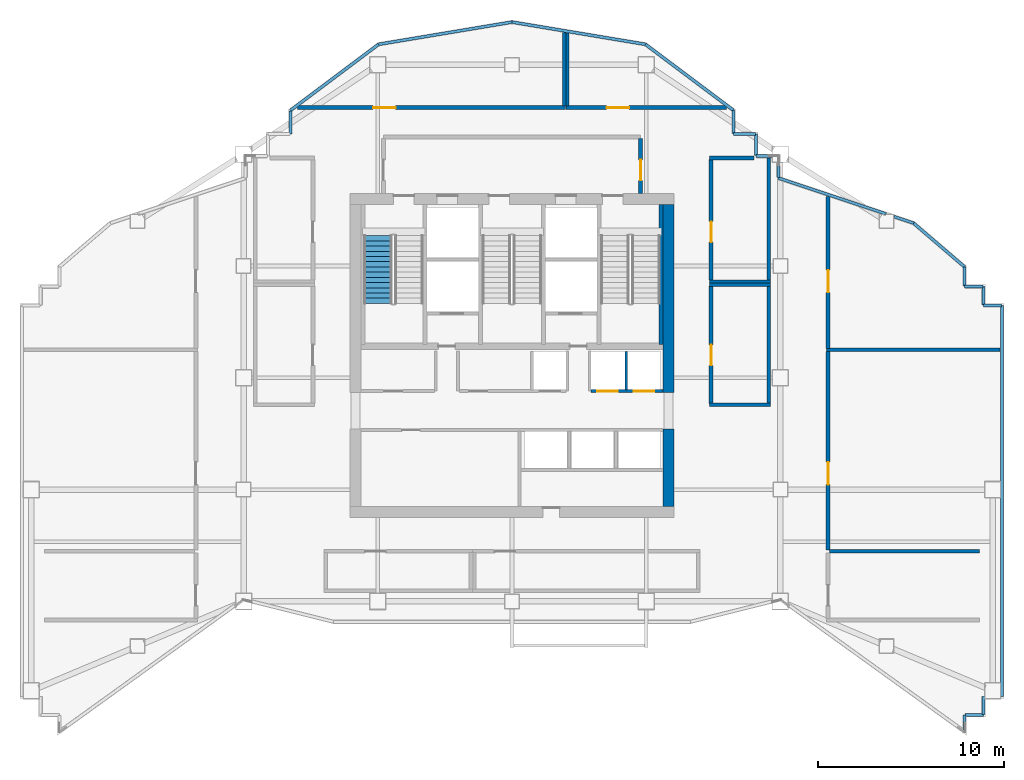
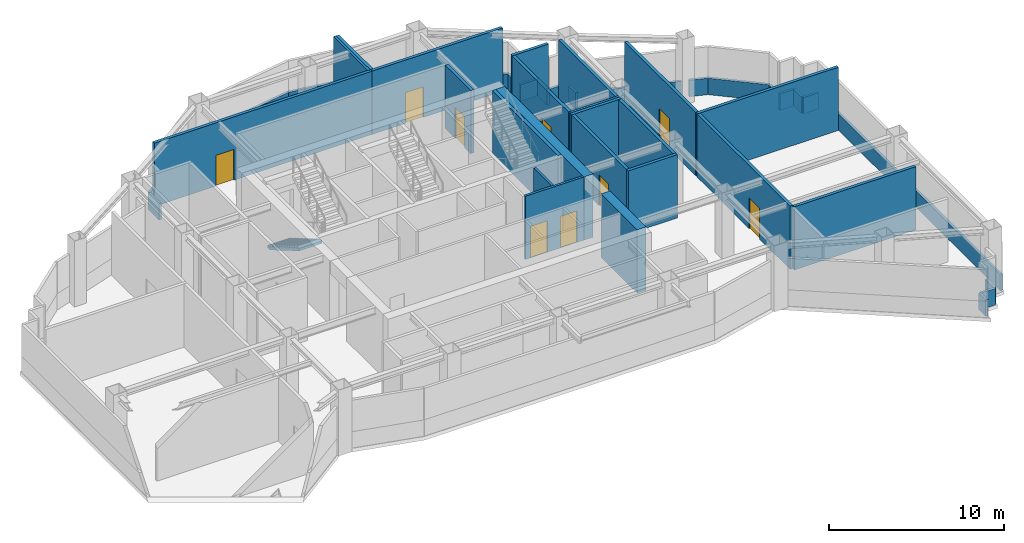
# One storey, part 4 of 9: 43 walls, 9 doors, 1 stair flight, 9 openings, 1 element without a shape of its own.
"""IFC4 building model written with IfcOpenShell, lengths in metres."""

from ifc_helpers import new_model, si_unit, direction, frame, frame_2d, origin, place, context, subcontext, project, spatial, polyline, rectangle, outline, extrude, material, layer, layer_set, type_object, element, fill, aggregate, save


model = new_model("IFC4")

# Units and contexts
model_context = context("Model", 3, precision=1e-05, world=origin(), true_north=direction((0.0, 1.0)))
body_context = subcontext(model_context, "Body", "Model", "MODEL_VIEW")
ifc_project = project(units=[si_unit("LENGTHUNIT", "METRE"), si_unit("AREAUNIT", "SQUARE_METRE"), si_unit("VOLUMEUNIT", "CUBIC_METRE"), si_unit("PLANEANGLEUNIT", "RADIAN"), si_unit("MASSUNIT", "GRAM", prefix="KILO")], contexts=[model_context])

# Site, building, storey
site_placement = place(None, origin())
site = spatial("IfcSite", under=ifc_project, at=site_placement, CompositionType="ELEMENT")
building_placement = place(site_placement, origin())
building = spatial("IfcBuilding", under=site, at=building_placement, Name="Haolan Belvedere Tower", CompositionType="ELEMENT")
storey_placement = place(building_placement, frame((0.0, 0.0, 207.0)))
storey = spatial("IfcBuildingStorey", under=building, at=storey_placement, Name="L52", CompositionType="ELEMENT", Elevation=207.0)

# Walls
ifc_material_1 = material(Name="Concrete C60/75", Category="concrete")
ifc_layer_1 = layer(ifc_material_1, 0.60009765625, Name="Concrete C60/75")
ifc_layer_set_1 = layer_set([ifc_layer_1], Name="Concrete C60/75")
wall_type_1 = type_object("IfcWallType", Name="WL-CORE-600", PredefinedType="SHEAR", material=ifc_layer_set_1)
wall_1_placement = place(storey_placement, frame((46.800048828125, 26.699951171875, 0.0), z_axis=(0.0, 0.0, 1.0), x_axis=(0.0, 1.0, 0.0)))
element("IfcWall", 1, at=wall_1_placement, inside=storey, type_object=wall_type_1, Name="L52 central core shear wall ES", PredefinedType="SHEAR", context=body_context, shape_type="SweptSolid", body=[
    extrude(rectangle(XDim=4.150146484375, YDim=0.60009765625, at=frame_2d((2.0751953125, 0.0))), origin(), (0.0, 0.0, 1.0), 4.419921875),
])
wall_2_placement = place(storey_placement, frame((46.800048828125, 32.800048828125, 0.0), z_axis=(0.0, 0.0, 1.0), x_axis=(0.0, 1.0, 0.0)))
element("IfcWall", 2, at=wall_2_placement, inside=storey, type_object=wall_type_1, Name="L52 central core shear wall EN", PredefinedType="SHEAR", context=body_context, shape_type="SweptSolid", body=[
    extrude(rectangle(XDim=10.099853515625, YDim=0.60009765625, at=frame_2d((5.0498046875, 0.0))), origin(), (0.0, 0.0, 1.0), 4.419921875),
])

# Wall, opening, door
ifc_material_2 = material(Name="Concrete C40/50", Category="concrete")
ifc_layer_2 = layer(ifc_material_2, 0.199951171875, Name="Concrete C40/50")
ifc_layer_set_2 = layer_set([ifc_layer_2], Name="Concrete C40/50")
wall_type_2 = type_object("IfcWallType", Name="WL-FIRE-200", PredefinedType="SOLIDWALL", material=ifc_layer_set_2)
wall_3_placement = place(storey_placement, frame((45.300048828125, 43.5, 0.0), z_axis=(0.0, 0.0, 1.0), x_axis=(0.0, 1.0, 0.0)))
wall_3 = element("IfcWall", 3, at=wall_3_placement, inside=storey, type_object=wall_type_2, Name="L52 interior partition IW-L52-FFL-E", PredefinedType="SOLIDWALL", context=body_context, shape_type="SweptSolid", body=[
    extrude(rectangle(XDim=2.93505859375, YDim=0.199951171875, at=frame_2d((1.467529296875, 0.0))), origin(), (0.0, 0.0, 1.0), 4.419921875),
])
opening_1_placement = place(wall_3_placement, frame((0.699951171875, 0.0, 0.0)))
opening_1 = element("IfcOpeningElement", 4, at=opening_1_placement, cuts=wall_3, Name="Opening FD-03", PredefinedType="OPENING", context=body_context, shape_type="SweptSolid", body=[
    extrude(rectangle(XDim=1.10009765625, YDim=2.14990234375, at=frame_2d((0.550048828125, 1.074951171875))), frame((0.0, 0.10986328125, 0.0), z_axis=(0.0, -1.0, 0.0), x_axis=(1.0, 0.0, 0.0)), (0.0, 0.0, 1.0), 0.219970703125),
])
ifc_material_3 = material(Name="Galvanised fire-rated steel", Category="steel")
door_type_1 = type_object("IfcDoorType", Name="DR-FD90-1100", OperationType="NOTDEFINED", PredefinedType="DOOR", material=ifc_material_3)
door_1_placement = place(opening_1_placement, origin())
door_1 = element("IfcDoor", 5, at=door_1_placement, inside=storey, type_object=door_type_1, Name="L52 door ID-L52-FFL-DE", OperationType="SINGLE_SWING_RIGHT", OverallHeight=2.14990234375, OverallWidth=1.10009765625, PredefinedType="DOOR", context=body_context, shape_type="SweptSolid", body=[
    extrude(rectangle(XDim=1.10009765625, YDim=2.14990234375, at=frame_2d((0.550048828125, 1.074951171875))), frame((0.0, 0.02490234375, 0.0), z_axis=(0.0, -1.0, 0.0), x_axis=(1.0, 0.0, 0.0)), (0.0, 0.0, 1.0), 0.050048828125),
])
fill(opening_1, door_1)

# Wall
wall_4_placement = place(storey_placement, frame((55.280029296875, 35.10009765625, 0.0), z_axis=(0.0, 0.0, 1.0), x_axis=(1.0, 0.0, 0.0)))
element("IfcWall", 6, at=wall_4_placement, inside=storey, type_object=wall_type_2, Name="L52 interior partition IW-L52-REF-E1-N", PredefinedType="SOLIDWALL", context=body_context, shape_type="SweptSolid", body=[
    extrude(rectangle(XDim=9.307861328125, YDim=0.199951171875, at=frame_2d((4.65380859375, 0.0))), origin(), (0.0, 0.0, 1.0), 4.419921875),
])

# Wall, opening, door
wall_5_placement = place(storey_placement, frame((55.360107421875, 24.3701171875, 0.0), z_axis=(0.0, 0.0, 1.0), x_axis=(0.0, 1.0, 0.0)))
wall_5 = element("IfcWall", 7, at=wall_5_placement, inside=storey, type_object=wall_type_2, Name="L52 interior partition IW-L52-REF-E1-W", PredefinedType="SOLIDWALL", context=body_context, shape_type="SweptSolid", body=[
    extrude(rectangle(XDim=10.644775390625, YDim=0.199951171875, at=frame_2d((5.322265625, 0.0))), origin(), (0.0, 0.0, 1.0), 4.419921875),
])
opening_2_placement = place(wall_5_placement, frame((3.5, 0.0, 0.0)))
opening_2 = element("IfcOpeningElement", 8, at=opening_2_placement, cuts=wall_5, Name="Opening FD-02", PredefinedType="OPENING", context=body_context, shape_type="SweptSolid", body=[
    extrude(rectangle(XDim=1.199951171875, YDim=2.14990234375, at=frame_2d((0.60009765625, 1.074951171875))), frame((0.0, 0.10986328125, 0.0), z_axis=(0.0, -1.0, 0.0), x_axis=(1.0, 0.0, 0.0)), (0.0, 0.0, 1.0), 0.219970703125),
])
door_type_2 = type_object("IfcDoorType", Name="DR-FD90-1200", OperationType="NOTDEFINED", PredefinedType="DOOR", material=ifc_material_3)
door_2_placement = place(opening_2_placement, origin())
door_2 = element("IfcDoor", 9, at=door_2_placement, inside=storey, type_object=door_type_2, Name="L52 door ID-L52-REF-E1", OperationType="SINGLE_SWING_RIGHT", OverallHeight=2.14990234375, OverallWidth=1.199951171875, PredefinedType="DOOR", context=body_context, shape_type="SweptSolid", body=[
    extrude(rectangle(XDim=1.199951171875, YDim=2.14990234375, at=frame_2d((0.60009765625, 1.074951171875))), frame((0.0, 0.02490234375, 0.0), z_axis=(0.0, -1.0, 0.0), x_axis=(1.0, 0.0, 0.0)), (0.0, 0.0, 1.0), 0.050048828125),
])
fill(opening_2, door_2)

wall_6_placement = place(storey_placement, frame((55.360107421875, 35.18505859375, 0.0), z_axis=(0.0, 0.0, 1.0), x_axis=(0.0, 1.0, 0.0)))
wall_6 = element("IfcWall", 10, at=wall_6_placement, inside=storey, type_object=wall_type_2, Name="L52 interior partition IW-L52-REF-E2-W", PredefinedType="SOLIDWALL", context=body_context, shape_type="SweptSolid", body=[
    extrude(rectangle(XDim=8.13818359375, YDim=0.199951171875, at=frame_2d((4.069091796875, 0.0))), origin(), (0.0, 0.0, 1.0), 4.419921875),
])
opening_3_placement = place(wall_6_placement, frame((2.9951171875, 0.0, 0.0)))
opening_3 = element("IfcOpeningElement", 11, at=opening_3_placement, cuts=wall_6, Name="Opening FD-02", PredefinedType="OPENING", context=body_context, shape_type="SweptSolid", body=[
    extrude(rectangle(XDim=1.199951171875, YDim=2.14990234375, at=frame_2d((0.60009765625, 1.074951171875))), frame((0.0, 0.10986328125, 0.0), z_axis=(0.0, -1.0, 0.0), x_axis=(1.0, 0.0, 0.0)), (0.0, 0.0, 1.0), 0.219970703125),
])
door_3_placement = place(opening_3_placement, origin())
door_3 = element("IfcDoor", 12, at=door_3_placement, inside=storey, type_object=door_type_2, Name="L52 door ID-L52-REF-E2", OperationType="SINGLE_SWING_LEFT", OverallHeight=2.14990234375, OverallWidth=1.199951171875, PredefinedType="DOOR", context=body_context, shape_type="SweptSolid", body=[
    extrude(rectangle(XDim=1.199951171875, YDim=2.14990234375, at=frame_2d((0.60009765625, 1.074951171875))), frame((0.0, 0.02490234375, 0.0), z_axis=(0.0, -1.0, 0.0), x_axis=(1.0, 0.0, 0.0)), (0.0, 0.0, 1.0), 0.050048828125),
])
fill(opening_3, door_3)

# Walls
for number, where, z_axis, x_axis, name in (
    (13, (49.0, 38.60009765625, 0.0), (0.0, 0.0, 1.0), (1.0, 0.0, 0.0), "L52 interior partition IW-L52-REF-EI1-N"),
    (14, (49.0, 32.14990234375, 0.0), (0.0, 0.0, 1.0), (1.0, 0.0, 0.0), "L52 interior partition IW-L52-REF-EI1-S"),
):
    element("IfcWall", number, at=place(storey_placement, frame(where, z_axis=z_axis, x_axis=x_axis)), inside=storey, type_object=wall_type_2, Name=name, PredefinedType="SOLIDWALL", context=body_context, shape_type="SweptSolid", body=[
        extrude(rectangle(XDim=3.260009765625, YDim=0.199951171875, at=frame_2d((1.6298828125, 0.0))), origin(), (0.0, 0.0, 1.0), 4.419921875),
    ])

# Wall, opening, door
wall_7_placement = place(storey_placement, frame((49.080078125, 32.235107421875, 0.0), z_axis=(0.0, 0.0, 1.0), x_axis=(0.0, 1.0, 0.0)))
wall_7 = element("IfcWall", 15, at=wall_7_placement, inside=storey, type_object=wall_type_2, Name="L52 interior partition IW-L52-REF-EI1-W", PredefinedType="SOLIDWALL", context=body_context, shape_type="SweptSolid", body=[
    extrude(rectangle(XDim=6.27978515625, YDim=0.199951171875, at=frame_2d((3.139892578125, 0.0))), origin(), (0.0, 0.0, 1.0), 4.419921875),
])
opening_4_placement = place(wall_7_placement, frame((2.034912109375, 0.0, 0.0)))
opening_4 = element("IfcOpeningElement", 16, at=opening_4_placement, cuts=wall_7, Name="Opening FD-03", PredefinedType="OPENING", context=body_context, shape_type="SweptSolid", body=[
    extrude(rectangle(XDim=1.10009765625, YDim=2.14990234375, at=frame_2d((0.550048828125, 1.074951171875))), frame((0.0, 0.10986328125, 0.0), z_axis=(0.0, -1.0, 0.0), x_axis=(1.0, 0.0, 0.0)), (0.0, 0.0, 1.0), 0.219970703125),
])
door_4_placement = place(opening_4_placement, origin())
door_4 = element("IfcDoor", 17, at=door_4_placement, inside=storey, type_object=door_type_1, Name="L52 door ID-L52-REF-EI1", OperationType="SINGLE_SWING_RIGHT", OverallHeight=2.14990234375, OverallWidth=1.10009765625, PredefinedType="DOOR", context=body_context, shape_type="SweptSolid", body=[
    extrude(rectangle(XDim=1.10009765625, YDim=2.14990234375, at=frame_2d((0.550048828125, 1.074951171875))), frame((0.0, 0.02490234375, 0.0), z_axis=(0.0, -1.0, 0.0), x_axis=(1.0, 0.0, 0.0)), (0.0, 0.0, 1.0), 0.050048828125),
])
fill(opening_4, door_4)

# Walls
wall_8_placement = place(storey_placement, frame((52.179931640625, 32.235107421875, 0.0), z_axis=(0.0, 0.0, 1.0), x_axis=(0.0, 1.0, 0.0)))
element("IfcWall", 18, at=wall_8_placement, inside=storey, type_object=wall_type_2, Name="L52 interior partition IW-L52-REF-EI1-E", PredefinedType="SOLIDWALL", context=body_context, shape_type="SweptSolid", body=[
    extrude(rectangle(XDim=6.27978515625, YDim=0.199951171875, at=frame_2d((3.139892578125, 0.0))), origin(), (0.0, 0.0, 1.0), 4.419921875),
])
wall_9_placement = place(storey_placement, frame((49.0, 45.39990234375, 0.0), z_axis=(0.0, 0.0, 1.0), x_axis=(1.0, 0.0, 0.0)))
element("IfcWall", 19, at=wall_9_placement, inside=storey, type_object=wall_type_2, Name="L52 interior partition IW-L52-REF-EI2-N", PredefinedType="SOLIDWALL", context=body_context, shape_type="SweptSolid", body=[
    extrude(rectangle(XDim=2.387939453125, YDim=0.199951171875, at=frame_2d((1.19384765625, 0.0))), origin(), (0.0, 0.0, 1.0), 4.419921875),
])
wall_10_placement = place(storey_placement, frame((49.0, 38.760009765625, 0.0), z_axis=(0.0, 0.0, 1.0), x_axis=(1.0, 0.0, 0.0)))
element("IfcWall", 20, at=wall_10_placement, inside=storey, type_object=wall_type_2, Name="L52 interior partition IW-L52-REF-EI2-S", PredefinedType="SOLIDWALL", context=body_context, shape_type="SweptSolid", body=[
    extrude(rectangle(XDim=3.260009765625, YDim=0.199951171875, at=frame_2d((1.6298828125, 0.0))), origin(), (0.0, 0.0, 1.0), 4.419921875),
])

# Wall, opening, door
wall_11_placement = place(storey_placement, frame((49.080078125, 38.844970703125, 0.0), z_axis=(0.0, 0.0, 1.0), x_axis=(0.0, 1.0, 0.0)))
wall_11 = element("IfcWall", 21, at=wall_11_placement, inside=storey, type_object=wall_type_2, Name="L52 interior partition IW-L52-REF-EI2-W", PredefinedType="SOLIDWALL", context=body_context, shape_type="SweptSolid", body=[
    extrude(rectangle(XDim=6.469970703125, YDim=0.199951171875, at=frame_2d((3.23486328125, 0.0))), origin(), (0.0, 0.0, 1.0), 4.419921875),
])
opening_5_placement = place(wall_11_placement, frame((2.034912109375, 0.0, 0.0)))
opening_5 = element("IfcOpeningElement", 22, at=opening_5_placement, cuts=wall_11, Name="Opening FD-03", PredefinedType="OPENING", context=body_context, shape_type="SweptSolid", body=[
    extrude(rectangle(XDim=1.10009765625, YDim=2.14990234375, at=frame_2d((0.550048828125, 1.074951171875))), frame((0.0, 0.10986328125, 0.0), z_axis=(0.0, -1.0, 0.0), x_axis=(1.0, 0.0, 0.0)), (0.0, 0.0, 1.0), 0.219970703125),
])
door_5_placement = place(opening_5_placement, origin())
door_5 = element("IfcDoor", 23, at=door_5_placement, inside=storey, type_object=door_type_1, Name="L52 door ID-L52-REF-EI2", OperationType="SINGLE_SWING_LEFT", OverallHeight=2.14990234375, OverallWidth=1.10009765625, PredefinedType="DOOR", context=body_context, shape_type="SweptSolid", body=[
    extrude(rectangle(XDim=1.10009765625, YDim=2.14990234375, at=frame_2d((0.550048828125, 1.074951171875))), frame((0.0, 0.02490234375, 0.0), z_axis=(0.0, -1.0, 0.0), x_axis=(1.0, 0.0, 0.0)), (0.0, 0.0, 1.0), 0.050048828125),
])
fill(opening_5, door_5)

# Wall
wall_12_placement = place(storey_placement, frame((52.179931640625, 38.844970703125, 0.0), z_axis=(0.0, 0.0, 1.0), x_axis=(0.0, 1.0, 0.0)))
element("IfcWall", 24, at=wall_12_placement, inside=storey, type_object=wall_type_2, Name="L52 interior partition IW-L52-REF-EI2-E", PredefinedType="SOLIDWALL", context=body_context, shape_type="SweptSolid", body=[
    extrude(rectangle(XDim=6.54296875, YDim=0.199951171875, at=frame_2d((3.271484375, 0.0))), origin(), (0.0, 0.0, 1.0), 4.419921875),
])

# Wall, opening, door
wall_13_placement = place(storey_placement, frame((26.88671875, 48.10009765625, 0.0), z_axis=(0.0, 0.0, 1.0), x_axis=(1.0, 0.0, 0.0)))
wall_13 = element("IfcWall", 25, at=wall_13_placement, inside=storey, type_object=wall_type_2, Name="L52 interior partition IW-L52-REF-NW-S", PredefinedType="SOLIDWALL", context=body_context, shape_type="SweptSolid", body=[
    extrude(rectangle(XDim=14.393310546875, YDim=0.199951171875, at=frame_2d((7.19677734375, 0.0))), origin(), (0.0, 0.0, 1.0), 4.419921875),
])
opening_6_placement = place(wall_13_placement, frame((4.063232421875, 0.0, 0.0)))
opening_6 = element("IfcOpeningElement", 26, at=opening_6_placement, cuts=wall_13, Name="Opening FD-02", PredefinedType="OPENING", context=body_context, shape_type="SweptSolid", body=[
    extrude(rectangle(XDim=1.199951171875, YDim=2.14990234375, at=frame_2d((0.60009765625, 1.074951171875))), frame((0.0, 0.10986328125, 0.0), z_axis=(0.0, -1.0, 0.0), x_axis=(1.0, 0.0, 0.0)), (0.0, 0.0, 1.0), 0.219970703125),
])
door_6_placement = place(opening_6_placement, origin())
door_6 = element("IfcDoor", 27, at=door_6_placement, inside=storey, type_object=door_type_2, Name="L52 door ID-L52-REF-NW", OperationType="SINGLE_SWING_LEFT", OverallHeight=2.14990234375, OverallWidth=1.199951171875, PredefinedType="DOOR", context=body_context, shape_type="SweptSolid", body=[
    extrude(rectangle(XDim=1.199951171875, YDim=2.14990234375, at=frame_2d((0.60009765625, 1.074951171875))), frame((0.0, 0.02490234375, 0.0), z_axis=(0.0, -1.0, 0.0), x_axis=(1.0, 0.0, 0.0)), (0.0, 0.0, 1.0), 0.050048828125),
])
fill(opening_6, door_6)

# Wall
wall_14_placement = place(storey_placement, frame((41.199951171875, 48.18505859375, 0.0), z_axis=(0.0, 0.0, 1.0), x_axis=(0.0, 1.0, 0.0)))
element("IfcWall", 28, at=wall_14_placement, inside=storey, type_object=wall_type_2, Name="L52 interior partition IW-L52-REF-NW-E", PredefinedType="SOLIDWALL", context=body_context, shape_type="SweptSolid", body=[
    extrude(rectangle(XDim=3.933349609375, YDim=0.199951171875, at=frame_2d((1.966796875, 0.0))), origin(), (0.0, 0.0, 1.0), 4.419921875),
])

# Wall, opening, door
wall_15_placement = place(storey_placement, frame((41.284912109375, 48.10009765625, 0.0), z_axis=(0.0, 0.0, 1.0), x_axis=(1.0, 0.0, 0.0)))
wall_15 = element("IfcWall", 29, at=wall_15_placement, inside=storey, type_object=wall_type_2, Name="L52 interior partition IW-L52-REF-NE-S", PredefinedType="SOLIDWALL", context=body_context, shape_type="SweptSolid", body=[
    extrude(rectangle(XDim=8.62841796875, YDim=0.199951171875, at=frame_2d((4.314208984375, 0.0))), origin(), (0.0, 0.0, 1.0), 4.419921875),
])
opening_7_placement = place(wall_15_placement, frame((2.195068359375, 0.0, 0.0)))
opening_7 = element("IfcOpeningElement", 30, at=opening_7_placement, cuts=wall_15, Name="Opening FD-02", PredefinedType="OPENING", context=body_context, shape_type="SweptSolid", body=[
    extrude(rectangle(XDim=1.199951171875, YDim=2.14990234375, at=frame_2d((0.60009765625, 1.074951171875))), frame((0.0, 0.10986328125, 0.0), z_axis=(0.0, -1.0, 0.0), x_axis=(1.0, 0.0, 0.0)), (0.0, 0.0, 1.0), 0.219970703125),
])
door_7_placement = place(opening_7_placement, origin())
door_7 = element("IfcDoor", 31, at=door_7_placement, inside=storey, type_object=door_type_2, Name="L52 door ID-L52-REF-NE", OperationType="SINGLE_SWING_RIGHT", OverallHeight=2.14990234375, OverallWidth=1.199951171875, PredefinedType="DOOR", context=body_context, shape_type="SweptSolid", body=[
    extrude(rectangle(XDim=1.199951171875, YDim=2.14990234375, at=frame_2d((0.60009765625, 1.074951171875))), frame((0.0, 0.02490234375, 0.0), z_axis=(0.0, -1.0, 0.0), x_axis=(1.0, 0.0, 0.0)), (0.0, 0.0, 1.0), 0.050048828125),
])
fill(opening_7, door_7)

# Walls
wall_16_placement = place(storey_placement, frame((41.360107421875, 48.18505859375, 0.0), z_axis=(0.0, 0.0, 1.0), x_axis=(0.0, 1.0, 0.0)))
element("IfcWall", 32, at=wall_16_placement, inside=storey, type_object=wall_type_2, Name="L52 interior partition IW-L52-REF-NE-W", PredefinedType="SOLIDWALL", context=body_context, shape_type="SweptSolid", body=[
    extrude(rectangle(XDim=3.90673828125, YDim=0.199951171875, at=frame_2d((1.953369140625, 0.0))), origin(), (0.0, 0.0, 1.0), 4.419921875),
])
wall_17_placement = place(storey_placement, frame((55.445068359375, 24.2900390625, 0.0), z_axis=(0.0, 0.0, 1.0), x_axis=(1.0, 0.0, 0.0)))
element("IfcWall", 33, at=wall_17_placement, inside=storey, type_object=wall_type_2, Name="L52 interior partition IW-L52-PLT-TNK-N", PredefinedType="SOLIDWALL", context=body_context, shape_type="SweptSolid", body=[
    extrude(rectangle(XDim=8.034912109375, YDim=0.199951171875, at=frame_2d((4.017578125, 0.0))), origin(), (0.0, 0.0, 1.0), 4.419921875),
])
ifc_material_4 = material(Name="Precast concrete C40/50", Category="concrete")
ifc_layer_3 = layer(ifc_material_4, 0.159912109375, Name="Precast concrete C40/50")
ifc_layer_set_3 = layer_set([ifc_layer_3], Name="Precast concrete C40/50")
wall_type_3 = type_object("IfcWallType", Name="WL-PAR-160", PredefinedType="PARAPET", material=ifc_layer_set_3)
wall_18_placement = place(storey_placement, frame((62.68994140625, 14.70458984375, 0.0), z_axis=(0.0, 0.0, 1.0), x_axis=(0.0, 1.0, 0.0)))
element("IfcWall", 34, at=wall_18_placement, inside=storey, type_object=wall_type_3, Name="L52 refuge open-band parapet 4.1", PredefinedType="PARAPET", context=body_context, shape_type="SweptSolid", body=[
    extrude(rectangle(XDim=0.805419921875, YDim=0.159912109375, at=frame_2d((0.40283203125, 0.0))), origin(), (0.0, 0.0, 1.0), 1.14990234375),
])
for number, where, z_axis, x_axis, name in (
    (35, (62.719970703125, 15.510009765625, 0.0), (0.0, 0.0, 1.0), (1.0, 0.0, 0.0), "L52 refuge open-band parapet 5.1"),
    (36, (63.68994140625, 15.5400390625, 0.0), (0.0, 0.0, 1.0), (0.0, 1.0, 0.0), "L52 refuge open-band parapet 6.1"),
):
    element("IfcWall", number, at=place(storey_placement, frame(where, z_axis=z_axis, x_axis=x_axis)), inside=storey, type_object=wall_type_3, Name=name, PredefinedType="PARAPET", context=body_context, shape_type="SweptSolid", body=[
        extrude(rectangle(XDim=0.969970703125, YDim=0.159912109375, at=frame_2d((0.48486328125, 0.0))), origin(), (0.0, 0.0, 1.0), 1.14990234375),
    ])
wall_19_placement = place(storey_placement, frame((64.68994140625, 16.510009765625, 0.0), z_axis=(0.0, 0.0, 1.0), x_axis=(0.0, 1.0, 0.0)))
element("IfcWall", 37, at=wall_19_placement, inside=storey, type_object=wall_type_3, Name="L52 refuge open-band parapet 8.1", PredefinedType="PARAPET", context=body_context, shape_type="SweptSolid", body=[
    extrude(rectangle(XDim=20.97998046875, YDim=0.159912109375, at=frame_2d((10.489990234375, 0.0))), origin(), (0.0, 0.0, 1.0), 1.14990234375),
])
for number, where, z_axis, x_axis, name in (
    (38, (64.659912109375, 37.489990234375, 0.0), (0.0, 0.0, 1.0), (-1.0, 0.0, 0.0), "L52 refuge open-band parapet 9.1"),
    (39, (63.68994140625, 37.52001953125, 0.0), (0.0, 0.0, 1.0), (0.0, 1.0, 0.0), "L52 refuge open-band parapet 10.1"),
    (40, (63.659912109375, 38.489990234375, 0.0), (0.0, 0.0, 1.0), (-1.0, 0.0, 0.0), "L52 refuge open-band parapet 11.1"),
):
    element("IfcWall", number, at=place(storey_placement, frame(where, z_axis=z_axis, x_axis=x_axis)), inside=storey, type_object=wall_type_3, Name=name, PredefinedType="PARAPET", context=body_context, shape_type="SweptSolid", body=[
        extrude(rectangle(XDim=0.969970703125, YDim=0.159912109375, at=frame_2d((0.48486328125, 0.0))), origin(), (0.0, 0.0, 1.0), 1.14990234375),
    ])
wall_20_placement = place(storey_placement, frame((62.68994140625, 38.52001953125, 0.0), z_axis=(0.0, 0.0, 1.0), x_axis=(0.0, 1.0, 0.0)))
element("IfcWall", 41, at=wall_20_placement, inside=storey, type_object=wall_type_3, Name="L52 refuge open-band parapet 12.1", PredefinedType="PARAPET", context=body_context, shape_type="SweptSolid", body=[
    extrude(rectangle(XDim=1.029296875, YDim=0.159912109375, at=frame_2d((0.5146484375, 0.0))), origin(), (0.0, 0.0, 1.0), 1.14990234375),
])
wall_21_placement = place(storey_placement, frame((62.68994140625, 39.54931640625, 0.0), z_axis=(0.0, 0.0, 1.0), x_axis=(-0.759213704594, 0.650841417518, 0.0)))
element("IfcWall", 42, at=wall_21_placement, inside=storey, type_object=wall_type_3, Name="L52 refuge open-band parapet 13.1", PredefinedType="PARAPET", context=body_context, shape_type="SweptSolid", body=[
    extrude(rectangle(XDim=3.61572265625, YDim=0.159912109375, at=frame_2d((1.807861328125, 0.0))), origin(), (0.0, 0.0, 1.0), 1.14990234375),
])
wall_22_placement = place(storey_placement, frame((59.94482421875, 41.902587890625, 0.0), z_axis=(0.0, 0.0, 1.0), x_axis=(-0.948705297269, 0.316161760709, 0.0)))
element("IfcWall", 43, at=wall_22_placement, inside=storey, type_object=wall_type_3, Name="L52 refuge open-band parapet 14.1", PredefinedType="PARAPET", context=body_context, shape_type="SweptSolid", body=[
    extrude(rectangle(XDim=1.109619140625, YDim=0.159912109375, at=frame_2d((0.5546875, 0.0))), origin(), (0.0, 0.0, 1.0), 1.14990234375),
])
wall_23_placement = place(storey_placement, frame((58.476318359375, 42.39208984375, 0.0), z_axis=(0.0, 0.0, 1.0), x_axis=(-0.948687300706, 0.316215757798, 0.0)))
element("IfcWall", 44, at=wall_23_placement, inside=storey, type_object=wall_type_3, Name="L52 refuge open-band parapet 14.2", PredefinedType="PARAPET", context=body_context, shape_type="SweptSolid", body=[
    extrude(rectangle(XDim=6.099365234375, YDim=0.159912109375, at=frame_2d((3.0498046875, 0.0))), origin(), (0.0, 0.0, 1.0), 1.14990234375),
])
wall_24_placement = place(storey_placement, frame((52.68994140625, 44.3505859375, 0.0), z_axis=(0.0, 0.0, 1.0), x_axis=(0.0, 1.0, 0.0)))
element("IfcWall", 45, at=wall_24_placement, inside=storey, type_object=wall_type_3, Name="L52 refuge open-band parapet 15.1", PredefinedType="PARAPET", context=body_context, shape_type="SweptSolid", body=[
    extrude(rectangle(XDim=0.807373046875, YDim=0.159912109375, at=frame_2d((0.40380859375, 0.0))), origin(), (0.0, 0.0, 1.0), 1.14990234375),
])
wall_25_placement = place(storey_placement, frame((52.35791015625, 45.489990234375, 0.0), z_axis=(0.0, 0.0, 1.0), x_axis=(-1.0, 0.0, 0.0)))
element("IfcWall", 46, at=wall_25_placement, inside=storey, type_object=wall_type_3, Name="L52 refuge open-band parapet 16.1", PredefinedType="PARAPET", context=body_context, shape_type="SweptSolid", body=[
    extrude(rectangle(XDim=0.867919921875, YDim=0.159912109375, at=frame_2d((0.43408203125, 0.0))), origin(), (0.0, 0.0, 1.0), 1.14990234375),
])
for number, where, z_axis, x_axis, name in (
    (47, (51.489990234375, 45.52001953125, 0.0), (0.0, 0.0, 1.0), (0.0, 1.0, 0.0), "L52 refuge open-band parapet 17.1"),
    (48, (51.4599609375, 46.68994140625, 0.0), (0.0, 0.0, 1.0), (-1.0, 0.0, 0.0), "L52 refuge open-band parapet 18.1"),
):
    element("IfcWall", number, at=place(storey_placement, frame(where, z_axis=z_axis, x_axis=x_axis)), inside=storey, type_object=wall_type_3, Name=name, PredefinedType="PARAPET", context=body_context, shape_type="SweptSolid", body=[
        extrude(rectangle(XDim=1.169921875, YDim=0.159912109375, at=frame_2d((0.5849609375, 0.0))), origin(), (0.0, 0.0, 1.0), 1.14990234375),
    ])
wall_26_placement = place(storey_placement, frame((50.2900390625, 46.719970703125, 0.0), z_axis=(0.0, 0.0, 1.0), x_axis=(0.0, 1.0, 0.0)))
element("IfcWall", 49, at=wall_26_placement, inside=storey, type_object=wall_type_3, Name="L52 refuge open-band parapet 19.1", PredefinedType="PARAPET", context=body_context, shape_type="SweptSolid", body=[
    extrude(rectangle(XDim=1.22509765625, YDim=0.159912109375, at=frame_2d((0.612548828125, 0.0))), origin(), (0.0, 0.0, 1.0), 1.14990234375),
])
wall_27_placement = place(storey_placement, frame((50.278076171875, 47.9541015625, 0.0), z_axis=(0.0, 0.0, 1.0), x_axis=(-0.800019851171, 0.599973530859, 0.0)))
element("IfcWall", 50, at=wall_27_placement, inside=storey, type_object=wall_type_3, Name="L52 refuge open-band parapet 20.1", PredefinedType="PARAPET", context=body_context, shape_type="SweptSolid", body=[
    extrude(rectangle(XDim=5.903076171875, YDim=0.159912109375, at=frame_2d((2.95166015625, 0.0))), origin(), (0.0, 0.0, 1.0), 1.14990234375),
])
for number, where, z_axis, x_axis, name in (
    (51, (45.555419921875, 51.495849609375, 0.0), (0.0, 0.0, 1.0), (-0.986393014224, 0.164404444863, 0.0), "L52 refuge open-band parapet 21.1"),
    (52, (38.39990234375, 52.6884765625, 0.0), (0.0, 0.0, 1.0), (-0.986393014224, -0.164404444863, 0.0), "L52 refuge open-band parapet 22.1"),
):
    element("IfcWall", number, at=place(storey_placement, frame(where, z_axis=z_axis, x_axis=x_axis)), inside=storey, type_object=wall_type_3, Name=name, PredefinedType="PARAPET", context=body_context, shape_type="SweptSolid", body=[
        extrude(rectangle(XDim=7.254150390625, YDim=0.159912109375, at=frame_2d((3.626953125, 0.0))), origin(), (0.0, 0.0, 1.0), 1.14990234375),
    ])
wall_28_placement = place(storey_placement, frame((31.244384765625, 51.495849609375, 0.0), z_axis=(0.0, 0.0, 1.0), x_axis=(-0.8, -0.6, 0.0)))
element("IfcWall", 53, at=wall_28_placement, inside=storey, type_object=wall_type_3, Name="L52 refuge open-band parapet 23.1", PredefinedType="PARAPET", context=body_context, shape_type="SweptSolid", body=[
    extrude(rectangle(XDim=5.91796875, YDim=0.159912109375, at=frame_2d((2.958984375, 0.0))), origin(), (0.0, 0.0, 1.0), 1.14990234375),
])
wall_29_placement = place(storey_placement, frame((26.510009765625, 47.929931640625, 0.0), z_axis=(0.0, 0.0, 1.0), x_axis=(0.0, -1.0, 0.0)))
element("IfcWall", 54, at=wall_29_placement, inside=storey, type_object=wall_type_3, Name="L52 refuge open-band parapet 24.1", PredefinedType="PARAPET", context=body_context, shape_type="SweptSolid", body=[
    extrude(rectangle(XDim=1.239990234375, YDim=0.159912109375, at=frame_2d((0.6201171875, 0.0))), origin(), (0.0, 0.0, 1.0), 1.14990234375),
])

# Wall, openings, doors
ifc_material_5 = material(Name="Gypsum fire shaftwall assembly", Category="masonry")
ifc_layer_4 = layer(ifc_material_5, 0.1650390625, Name="Gypsum fire shaftwall assembly")
ifc_layer_set_4 = layer_set([ifc_layer_4], Name="Gypsum fire shaftwall assembly")
wall_type_4 = type_object("IfcWallType", Name="WL-SHAFT-160", PredefinedType="SOLIDWALL", material=ifc_layer_set_4)
wall_30_placement = place(storey_placement, frame((42.6298828125, 32.8798828125, 0.0), z_axis=(0.0, 0.0, 1.0), x_axis=(1.0, 0.0, 0.0)))
wall_30 = element("IfcWall", 55, at=wall_30_placement, inside=storey, type_object=wall_type_4, Name="L52 interior partition IW-L52-ROW-PN3", PredefinedType="SOLIDWALL", context=body_context, shape_type="SweptSolid", body=[
    extrude(rectangle(XDim=3.8701171875, YDim=0.159912109375, at=frame_2d((1.93505859375, 0.0))), origin(), (0.0, 0.0, 1.0), 4.419921875),
])
opening_8_placement = place(wall_30_placement, frame((1.4501953125, 0.0, 0.0), z_axis=(0.0, 0.0, 1.0), x_axis=(-1.0, 0.0, 0.0)))
opening_8 = element("IfcOpeningElement", 56, at=opening_8_placement, cuts=wall_30, Name="Opening LD-01", PredefinedType="OPENING", context=body_context, shape_type="SweptSolid", body=[
    extrude(rectangle(XDim=1.10009765625, YDim=2.199951171875, at=frame_2d((0.550048828125, 1.10009765625))), frame((0.0, 0.08984375, 0.0), z_axis=(0.0, -1.0, 0.0), x_axis=(1.0, 0.0, 0.0)), (0.0, 0.0, 1.0), 0.179931640625),
])
opening_9_placement = place(wall_30_placement, frame((3.41015625, 0.0, 0.0), z_axis=(0.0, 0.0, 1.0), x_axis=(-1.0, 0.0, 0.0)))
opening_9 = element("IfcOpeningElement", 57, at=opening_9_placement, cuts=wall_30, Name="Opening LD-01", PredefinedType="OPENING", context=body_context, shape_type="SweptSolid", body=[
    extrude(rectangle(XDim=1.10009765625, YDim=2.199951171875, at=frame_2d((0.550048828125, 1.10009765625))), frame((0.0, 0.08984375, 0.0), z_axis=(0.0, -1.0, 0.0), x_axis=(1.0, 0.0, 0.0)), (0.0, 0.0, 1.0), 0.179931640625),
])
ifc_material_6 = material(Name="Brushed champagne stainless steel 316L", Category="steel")
door_type_3 = type_object("IfcDoorType", Name="DR-LIFT-1100", OperationType="SLIDING_TO_LEFT", PredefinedType="DOOR", material=ifc_material_6)
door_8_placement = place(opening_8_placement, origin())
door_8 = element("IfcDoor", 58, at=door_8_placement, inside=storey, type_object=door_type_3, Name="L52 door ID-L52-LD-PH2", OperationType="SLIDING_TO_RIGHT", OverallHeight=2.199951171875, OverallWidth=1.10009765625, PredefinedType="DOOR", context=body_context, shape_type="SweptSolid", body=[
    extrude(rectangle(XDim=1.10009765625, YDim=2.199951171875, at=frame_2d((0.550048828125, 1.10009765625))), frame((0.0, 0.02490234375, 0.0), z_axis=(0.0, -1.0, 0.0), x_axis=(1.0, 0.0, 0.0)), (0.0, 0.0, 1.0), 0.050048828125),
])
fill(opening_8, door_8)
door_9_placement = place(opening_9_placement, origin())
door_9 = element("IfcDoor", 59, at=door_9_placement, inside=storey, type_object=door_type_3, Name="L52 door ID-L52-LD-PH3", OperationType="SLIDING_TO_RIGHT", OverallHeight=2.199951171875, OverallWidth=1.10009765625, PredefinedType="DOOR", context=body_context, shape_type="SweptSolid", body=[
    extrude(rectangle(XDim=1.10009765625, YDim=2.199951171875, at=frame_2d((0.550048828125, 1.10009765625))), frame((0.0, 0.02490234375, 0.0), z_axis=(0.0, -1.0, 0.0), x_axis=(1.0, 0.0, 0.0)), (0.0, 0.0, 1.0), 0.050048828125),
])
fill(opening_9, door_9)

# Walls
wall_31_placement = place(storey_placement, frame((44.530029296875, 32.949951171875, 0.0), z_axis=(0.0, 0.0, 1.0), x_axis=(0.0, 1.0, 0.0)))
element("IfcWall", 60, at=wall_31_placement, inside=storey, type_object=wall_type_4, Name="L52 interior partition IW-L52-DIV-PH2", PredefinedType="SOLIDWALL", context=body_context, shape_type="SweptSolid", body=[
    extrude(rectangle(XDim=2.050048828125, YDim=0.14990234375, at=frame_2d((1.02490234375, 0.0))), origin(), (0.0, 0.0, 1.0), 4.419921875),
])
ifc_material_7 = material(Name="Concrete C50/60", Category="concrete")
ifc_layer_5 = layer(ifc_material_7, 0.219970703125, Name="Concrete C50/60")
ifc_layer_set_5 = layer_set([ifc_layer_5], Name="Concrete C50/60")
wall_type_5 = type_object("IfcWallType", Name="WL-STAIR-220", PredefinedType="SHEAR", material=ifc_layer_set_5)
wall_32_placement = place(storey_placement, frame((46.387939453125, 35.389892578125, 0.0), z_axis=(0.0, 0.0, 1.0), x_axis=(0.0, 1.0, 0.0)))
element("IfcWall", 61, at=wall_32_placement, inside=storey, type_object=wall_type_5, Name="L52 structural stair core wall ST2E", PredefinedType="SHEAR", context=body_context, shape_type="SweptSolid", body=[
    extrude(rectangle(XDim=7.510009765625, YDim=0.219970703125, at=frame_2d((3.7548828125, 0.0))), origin(), (0.0, 0.0, 1.0), 4.419921875),
])

# Stair, stair flight
stair_type = type_object("IfcStairType", Name="STR-DL-28R-164", PredefinedType="HALF_TURN_STAIR", material=ifc_material_2)
stair_placement = place(storey_placement, origin())
stair = element("IfcStair", 62, at=stair_placement, inside=storey, type_object=stair_type, Name="L52 Smokeproof Core Exit Stair ST1", PredefinedType="HALF_TURN_STAIR")
stair_flight_type = type_object("IfcStairFlightType", Name="SFL-DL-14R-164", PredefinedType="STRAIGHT", material=ifc_material_2)
stair_flight_placement = place(storey_placement, frame((31.2099609375, 41.22998046875, 0.0), z_axis=(0.0, 0.0, 1.0), x_axis=(0.0, -1.0, 0.0)))
stair_flight = element("IfcStairFlight", 63, at=stair_flight_placement, type_object=stair_flight_type, Name="ST1 flight 1", NumberOfRisers=14, NumberOfTreads=13, PredefinedType="STRAIGHT", RiserHeight=0.164285714, TreadLength=0.28, context=body_context, shape_type="SweptSolid", body=[
    extrude(outline(polyline([(0.0, 0.0), (0.0, 0.164306640625), (0.280029296875, 0.164306640625), (0.280029296875, 0.32861328125), (0.56005859375, 0.32861328125), (0.56005859375, 0.492919921875), (0.840087890625, 0.492919921875), (0.840087890625, 0.6572265625), (1.1201171875, 0.6572265625), (1.1201171875, 0.821533203125), (1.39990234375, 0.821533203125), (1.39990234375, 0.985595703125), (1.679931640625, 0.985595703125), (1.679931640625, 1.14990234375), (1.9599609375, 1.14990234375), (1.9599609375, 1.314208984375), (2.239990234375, 1.314208984375), (2.239990234375, 1.478515625), (2.52001953125, 1.478515625), (2.52001953125, 1.642822265625), (2.800048828125, 1.642822265625), (2.800048828125, 1.80712890625), (3.080078125, 1.80712890625), (3.080078125, 1.971435546875), (3.360107421875, 1.971435546875), (3.360107421875, 2.1357421875), (3.639892578125, 2.1357421875), (3.639892578125, 2.300048828125), (3.639892578125, 1.9619140625), (0.296142578125, 0.0), (0.0, 0.0)])), frame((0.0, 0.760009765625, 0.0), z_axis=(0.0, -1.0, 0.0), x_axis=(1.0, 0.0, 0.0)), (0.0, 0.0, 1.0), 1.52001953125),
])
aggregate(stair, [stair_flight])

save(model, "model.ifc")
